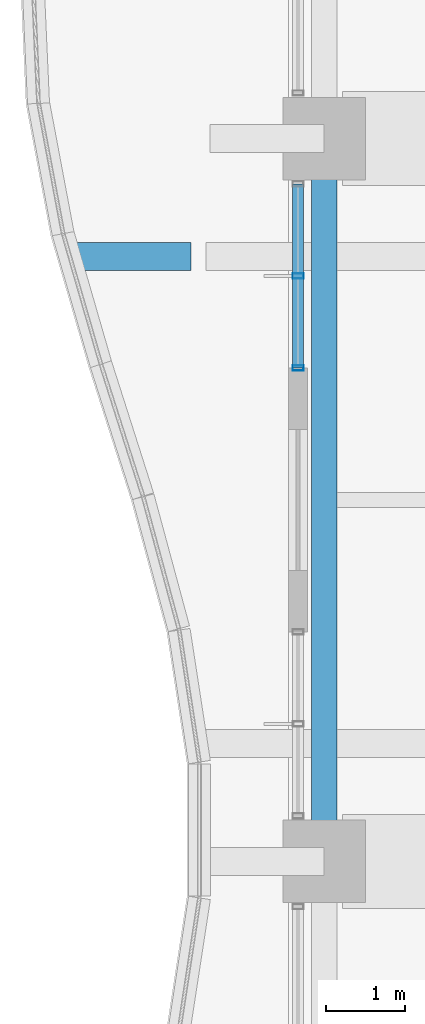
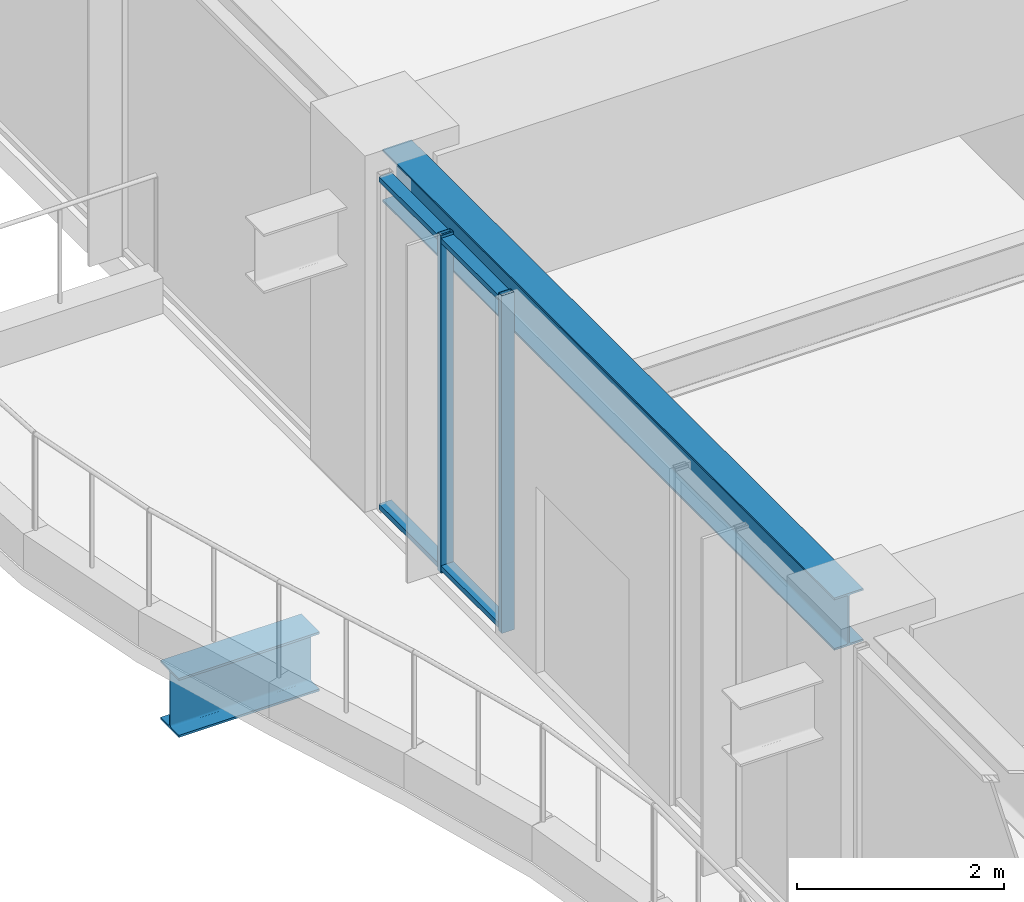
# One storey, part 9 of 40: 4 members, 2 beams, 1 element without a shape of its own.
"""IFC4 building model written with IfcOpenShell, lengths in metres."""

import ifcopenshell
import ifcopenshell.guid

model = None  # the IFC model being written
_history = None  # IfcOwnerHistory: only IFC2X3 demands one
_inside = {}  # id of a spatial element -> (the spatial element, [elements in it])
_under = {}  # id of a project, library or spatial element -> (it, [spatial elements below it])
_declared = {}  # id of a project -> (the project, [libraries it declares])
_typed = {}  # id of a type object -> (the type object, [elements of that type])
_made_of = {}  # id of a material, layer set ... -> (it, [elements and type objects made of it])


def new_model(schema):
    """Start an empty IFC model of exactly this schema.

    Asked for "IFC4X3", IfcOpenShell would pick the latest addendum, in which some entities
    have other attributes; the version numbers below select the first issue.
    IFC2X3 requires an IfcOwnerHistory on every rooted entity: one is made here for all.
    """
    global model, _history
    if schema == "IFC4X3":
        model = ifcopenshell.file(schema_version=(4, 3, 0, 0))
    else:
        model = ifcopenshell.file(schema=schema)
    _inside.clear()
    _under.clear()
    _declared.clear()
    _typed.clear()
    _made_of.clear()
    _history = None
    if model.schema == "IFC2X3":
        org = make("IfcOrganization", Name="unknown")
        user = make(
            "IfcPersonAndOrganization",
            ThePerson=make("IfcPerson", FamilyName="unknown"),
            TheOrganization=org,
        )
        app = make(
            "IfcApplication",
            ApplicationDeveloper=org,
            Version="unknown",
            ApplicationFullName="unknown",
            ApplicationIdentifier="unknown",
        )
        _history = make(
            "IfcOwnerHistory",
            OwningUser=user,
            OwningApplication=app,
            ChangeAction="ADDED",
            CreationDate=0,
        )
    return model


def make(cls, **values):
    """One entity of the class cls with the attributes given. An attribute that is None is left unset."""
    return model.create_entity(
        cls, **{name: value for name, value in values.items() if value is not None}
    )


def rooted(cls, **values):
    """An entity with a GlobalId (a new one), such as an element, a storey or a relation."""
    return make(cls, GlobalId=ifcopenshell.guid.new(), OwnerHistory=_history, **values)


def si_unit(unit_type, name, prefix=None):
    """IfcSIUnit, for example si_unit("LENGTHUNIT", "METRE", prefix="MILLI")."""
    return make("IfcSIUnit", UnitType=unit_type, Prefix=prefix, Name=name)


def assignment(units):
    """IfcUnitAssignment: the units of a project."""
    return None if units is None else make("IfcUnitAssignment", Units=units)


def point(xyz):
    """IfcCartesianPoint."""
    return None if xyz is None else make("IfcCartesianPoint", Coordinates=xyz)


def direction(xyz):
    """IfcDirection."""
    return None if xyz is None else make("IfcDirection", DirectionRatios=xyz)


def frame(location, z_axis=None, x_axis=None):
    """IfcAxis2Placement3D, a coordinate frame: its origin and axes. An axis left out is left unset."""
    return make(
        "IfcAxis2Placement3D",
        Location=point(location),
        Axis=direction(z_axis),
        RefDirection=direction(x_axis),
    )


def frame_2d(location, x_axis=None):
    """IfcAxis2Placement2D, a coordinate frame in the plane: its origin and x axis."""
    return make(
        "IfcAxis2Placement2D", Location=point(location), RefDirection=direction(x_axis)
    )


def origin():
    """The frame at (0, 0, 0) with its axes left unset."""
    return frame((0.0, 0.0, 0.0))


def origin_2d():
    """The frame at (0, 0) in the plane with its x axis left unset."""
    return frame_2d((0.0, 0.0))


def place(relative_to, where):
    """IfcLocalPlacement: puts the frame where relative to a parent placement (None: the world)."""
    return make(
        "IfcLocalPlacement", PlacementRelTo=relative_to, RelativePlacement=where
    )


def context(
    kind, dimensions, precision=None, world=None, true_north=None, identifier=None
):
    """IfcGeometricRepresentationContext, for example the 3D "Model" context."""
    return make(
        "IfcGeometricRepresentationContext",
        ContextIdentifier=identifier,
        ContextType=kind,
        CoordinateSpaceDimension=dimensions,
        Precision=precision,
        WorldCoordinateSystem=world,
        TrueNorth=true_north,
    )


def subcontext(parent, identifier, kind, view, scale=None):
    """IfcGeometricRepresentationSubContext, for example "Body" below "Model"."""
    return make(
        "IfcGeometricRepresentationSubContext",
        ContextIdentifier=identifier,
        ContextType=kind,
        ParentContext=parent,
        TargetScale=scale,
        TargetView=view,
    )


def project(units=None, contexts=None):
    """IfcProject with its units and contexts."""
    return rooted(
        "IfcProject",
        Name="project",
        RepresentationContexts=contexts,
        UnitsInContext=assignment(units),
    )


def spatial(cls, under=None, at=None, **own):
    """A site, building, storey or space (cls), placed at a placement, below another one or the project."""
    s = rooted(cls, ObjectPlacement=at, **own)
    if under is not None:
        _under.setdefault(under.id(), (under, []))[1].append(s)
    return s


def profile(cls, at=None, kind="AREA", **sizes):
    """A parametric profile (cls). Its sizes go by their IFC names, for example OverallWidth=200.0."""
    return make(cls, ProfileType=kind, Position=at, **sizes)


def hollow_rectangle(**sizes):
    """IfcRectangleHollowProfileDef."""
    return profile("IfcRectangleHollowProfileDef", **sizes)


def i_section(**sizes):
    """IfcIShapeProfileDef."""
    return profile("IfcIShapeProfileDef", **sizes)


def extrude(swept, where, along, depth):
    """IfcExtrudedAreaSolid: the profile swept, set in the frame where, extruded along a direction by depth."""
    return make(
        "IfcExtrudedAreaSolid",
        SweptArea=swept,
        Position=where,
        ExtrudedDirection=direction(along),
        Depth=depth,
    )


def shape(context_of_items, identifier, shape_type, items):
    """IfcShapeRepresentation: the items that make up one representation, for example the "Body"."""
    return make(
        "IfcShapeRepresentation",
        ContextOfItems=context_of_items,
        RepresentationIdentifier=identifier,
        RepresentationType=shape_type,
        Items=items,
    )


def material(Name=None, Category=None):
    """IfcMaterial."""
    return make("IfcMaterial", Name=Name, Category=Category)


def material_profile(
    of_material, cross_section, Name=None, Category=None, Priority=None
):
    """IfcMaterialProfile: a cross section and its material."""
    return make(
        "IfcMaterialProfile",
        Name=Name,
        Material=of_material,
        Profile=cross_section,
        Priority=Priority,
        Category=Category,
    )


def profile_set(profiles, Name=None, composite=None):
    """IfcMaterialProfileSet."""
    return make(
        "IfcMaterialProfileSet",
        Name=Name,
        MaterialProfiles=profiles,
        CompositeProfile=composite,
    )


def made_of(thing, what):
    """Note that an element or type object is made of a material, layer set ...; save() writes the relation."""
    if what is not None:
        _made_of.setdefault(what.id(), (what, []))[1].append(thing)
    return thing


def type_object(cls, material=None, **own):
    """A type object (cls), such as IfcWallType, which elements share."""
    return made_of(rooted(cls, **own), material)


def element(
    cls,
    number,
    at=None,
    inside=None,
    cuts=None,
    type_object=None,
    material=None,
    context=None,
    identifier="Body",
    shape_type=None,
    held_by="IfcProductDefinitionShape",
    body=None,
    shapes=None,
    **own,
):
    """One element of the class cls, such as IfcWall. Its Tag is "e" and its number.

    at: its placement. inside: the storey or other place that contains it. cuts: it is an
    opening in that element (IfcRelVoidsElement). A single representation is given by context,
    identifier, shape_type and body (its items); several are given by shapes. held_by: the class
    of the entity that holds the representations. save() writes the other relations.
    """
    e = rooted(cls, Tag="e%d" % number, ObjectPlacement=at, **own)
    if body is not None:
        shapes = [shape(context, identifier, shape_type, body)]
    if shapes is not None:
        e.Representation = make(held_by, Representations=shapes)
    if inside is not None:
        _inside.setdefault(inside.id(), (inside, []))[1].append(e)
    if cuts is not None:
        rooted(
            "IfcRelVoidsElement", RelatingBuildingElement=cuts, RelatedOpeningElement=e
        )
    if type_object is not None:
        _typed.setdefault(type_object.id(), (type_object, []))[1].append(e)
    return made_of(e, material)


def aggregate(whole, parts):
    """IfcRelAggregates: a whole, such as a stair, and the parts it consists of."""
    return rooted("IfcRelAggregates", RelatingObject=whole, RelatedObjects=parts)


def save(model, path):
    """Write the relations noted so far, then the file.

    IfcRelAggregates (storeys below a building ...), IfcRelContainedInSpatialStructure (elements
    in a storey), IfcRelDefinesByType, IfcRelAssociatesMaterial and IfcRelDeclares: one each for
    every whole, place, type object, material and project.
    """
    for whole, parts in _under.values():
        aggregate(whole, parts)
    for where, things in _inside.values():
        rooted(
            "IfcRelContainedInSpatialStructure",
            RelatedElements=things,
            RelatingStructure=where,
        )
    for kind, things in _typed.values():
        rooted("IfcRelDefinesByType", RelatedObjects=things, RelatingType=kind)
    for what, things in _made_of.values():
        rooted("IfcRelAssociatesMaterial", RelatedObjects=things, RelatingMaterial=what)
    for by, libraries in _declared.values():
        rooted("IfcRelDeclares", RelatingContext=by, RelatedDefinitions=libraries)
    model.write(path)


model = new_model("IFC4")

# Units and contexts
model_context = context("Model", 3, precision=1e-05, world=origin(), true_north=direction((0.0, 1.0)))
body_context = subcontext(model_context, "Body", "Model", "MODEL_VIEW")
ifc_project = project(units=[si_unit("LENGTHUNIT", "METRE"), si_unit("AREAUNIT", "SQUARE_METRE"), si_unit("VOLUMEUNIT", "CUBIC_METRE"), si_unit("PLANEANGLEUNIT", "RADIAN"), si_unit("MASSUNIT", "GRAM", prefix="KILO")], contexts=[model_context])

# Site, building, storey
site_placement = place(None, origin())
site = spatial("IfcSite", under=ifc_project, at=site_placement, CompositionType="ELEMENT")
building_placement = place(site_placement, origin())
building = spatial("IfcBuilding", under=site, at=building_placement, Name="Kolvaren Belvedere", CompositionType="ELEMENT")
storey_placement = place(building_placement, frame((0.0, 0.0, 68.0)))
storey = spatial("IfcBuildingStorey", under=building, at=storey_placement, Name="L19", CompositionType="ELEMENT", Elevation=68.0)

# Beams
ifc_material_1 = material(Name="Structural steel ASTM A992 Grade 50", Category="steel")
ifc_material_profile_1 = material_profile(ifc_material_1, i_section(OverallWidth=0.35498046875, OverallDepth=0.696044921875, WebThickness=0.015380859375, FlangeThickness=0.02490234375, FilletRadius=0.02197265625, at=origin_2d()), Name="W27X146")
ifc_profile_set_1 = profile_set([ifc_material_profile_1], Name="Structural steel ASTM A992 Grade 50")
beam_type_1 = type_object("IfcBeamType", Name="BM-CANT-BAL", PredefinedType="BEAM", material=ifc_profile_set_1)
beam_1_placement = place(storey_placement, frame((-21.64501953125, 3.10009765625, -0.64794921875), z_axis=(-1.0, 0.0, 0.0), x_axis=(0.0, -1.0, 0.0)))
element("IfcBeam", 1, at=beam_1_placement, inside=storey, type_object=beam_type_1, Name="L19 Planted Balcony Cantilever BAL-W-2", PredefinedType="BEAM", context=body_context, shape_type="SweptSolid", body=[
    extrude(i_section(OverallWidth=0.35498046875, OverallDepth=0.696044921875, WebThickness=0.015380859375, FlangeThickness=0.02490234375, FilletRadius=0.02197265625, at=origin_2d()), origin(), (0.0, 0.0, 1.0), 1.568115234375),
])
ifc_material_2 = material(Name="Structural steel ASTM A992 Grade 50", Category="steel")
ifc_material_profile_2 = material_profile(ifc_material_2, i_section(OverallWidth=0.324951171875, OverallDepth=0.615966796875, WebThickness=0.013916015625, FlangeThickness=0.021484375, FilletRadius=0.02001953125, at=origin_2d()), Name="W24X117")
ifc_profile_set_2 = profile_set([ifc_material_profile_2], Name="Structural steel ASTM A992 Grade 50")
beam_type_2 = type_object("IfcBeamType", Name="BM-SPAN-W24X117", PredefinedType="SPANDREL", material=ifc_profile_set_2)
beam_2_placement = place(storey_placement, frame((-19.949951171875, 4.36376953125, 3.672119140625), z_axis=(0.0, -1.0, 0.0), x_axis=(1.0, 0.0, 0.0)))
element("IfcBeam", 2, at=beam_2_placement, inside=storey, type_object=beam_type_2, Name="L19 Perimeter Spandrel W3-W2", PredefinedType="SPANDREL", context=body_context, shape_type="SweptSolid", body=[
    extrude(i_section(OverallWidth=0.324951171875, OverallDepth=0.615966796875, WebThickness=0.013916015625, FlangeThickness=0.021484375, FilletRadius=0.02001953125, at=origin_2d()), origin(), (0.0, 0.0, 1.0), 8.7275390625),
])

# Curtain wall, members
ifc_material_3 = material(Name="Anodised pale-metal aluminium AA 6063-T6", Category="aluminium")
curtain_wall_type = type_object("IfcCurtainWallType", Name="CW-Z2-MID", PredefinedType="NOTDEFINED", material=ifc_material_3)
curtain_wall_placement = place(storey_placement, origin())
curtain_wall = element("IfcCurtainWall", 3, at=curtain_wall_placement, inside=storey, type_object=curtain_wall_type, Name="L19 Unitised Curtain Wall FCW-L19-W2-B1", PredefinedType="NOTDEFINED")
ifc_material_4 = material(Name="Anodised pale-metal aluminium AA 6063-T6", Category="aluminium")
ifc_material_profile_3 = material_profile(ifc_material_4, hollow_rectangle(XDim=0.06494140625, YDim=0.139892578125, WallThickness=0.00390625, at=origin_2d()), Name="ALU-MUL-140X65")
ifc_profile_set_3 = profile_set([ifc_material_profile_3], Name="Anodised pale-metal aluminium AA 6063-T6")
member_type_1 = type_object("IfcMemberType", Name="CW-MUL-140", PredefinedType="MULLION", material=ifc_profile_set_3)
member_1_placement = place(storey_placement, frame((-20.280029296875, 1.679931640625, 0.0), z_axis=(0.0, 0.0, 1.0), x_axis=(0.0, 1.0, 0.0)))
member_1 = element("IfcMember", 4, at=member_1_placement, type_object=member_type_1, Name="FCW-L19-W2-B1 Unitised Mullion 1", PredefinedType="MULLION", context=body_context, shape_type="SweptSolid", body=[
    extrude(hollow_rectangle(XDim=0.06494140625, YDim=0.139892578125, WallThickness=0.00390625, at=origin_2d()), origin(), (0.0, 0.0, 1.0), 3.97998046875),
])
member_2_placement = place(storey_placement, frame((-20.280029296875, 2.851318359375, 0.0), z_axis=(0.0, 0.0, 1.0), x_axis=(0.0, 1.0, 0.0)))
member_2 = element("IfcMember", 5, at=member_2_placement, type_object=member_type_1, Name="FCW-L19-W2-B1 Unitised Mullion 2", PredefinedType="MULLION", context=body_context, shape_type="SweptSolid", body=[
    extrude(hollow_rectangle(XDim=0.06494140625, YDim=0.139892578125, WallThickness=0.00390625, at=origin_2d()), origin(), (0.0, 0.0, 1.0), 3.97998046875),
])
ifc_material_5 = material(Name="Anodised pale-metal aluminium AA 6063-T6", Category="aluminium")
ifc_material_profile_4 = material_profile(ifc_material_5, hollow_rectangle(XDim=0.06005859375, YDim=0.139892578125, WallThickness=0.00390625, at=origin_2d()), Name="ALU-TRN-140X60")
ifc_profile_set_4 = profile_set([ifc_material_profile_4], Name="Anodised pale-metal aluminium AA 6063-T6")
member_type_2 = type_object("IfcMemberType", Name="CW-TRN-140", PredefinedType="USERDEFINED", material=ifc_profile_set_4)
member_3_placement = place(storey_placement, frame((-20.280029296875, 1.679931640625, 0.06005859375), z_axis=(0.0, 1.0, 0.0), x_axis=(0.0, 0.0, 1.0)))
member_3 = element("IfcMember", 6, at=member_3_placement, type_object=member_type_2, Name="FCW-L19-W2-B1 Sill Transom", ObjectType="TRANSOM", PredefinedType="USERDEFINED", context=body_context, shape_type="SweptSolid", body=[
    extrude(hollow_rectangle(XDim=0.06005859375, YDim=0.139892578125, WallThickness=0.00390625, at=origin_2d()), origin(), (0.0, 0.0, 1.0), 2.342529296875),
])
member_4_placement = place(storey_placement, frame((-20.280029296875, 1.679931640625, 3.919921875), z_axis=(0.0, 1.0, 0.0), x_axis=(0.0, 0.0, 1.0)))
member_4 = element("IfcMember", 7, at=member_4_placement, type_object=member_type_2, Name="FCW-L19-W2-B1 Head Transom", ObjectType="TRANSOM", PredefinedType="USERDEFINED", context=body_context, shape_type="SweptSolid", body=[
    extrude(hollow_rectangle(XDim=0.06005859375, YDim=0.139892578125, WallThickness=0.00390625, at=origin_2d()), origin(), (0.0, 0.0, 1.0), 2.342529296875),
])
aggregate(curtain_wall, [member_1, member_2, member_3, member_4])

save(model, "model.ifc")
